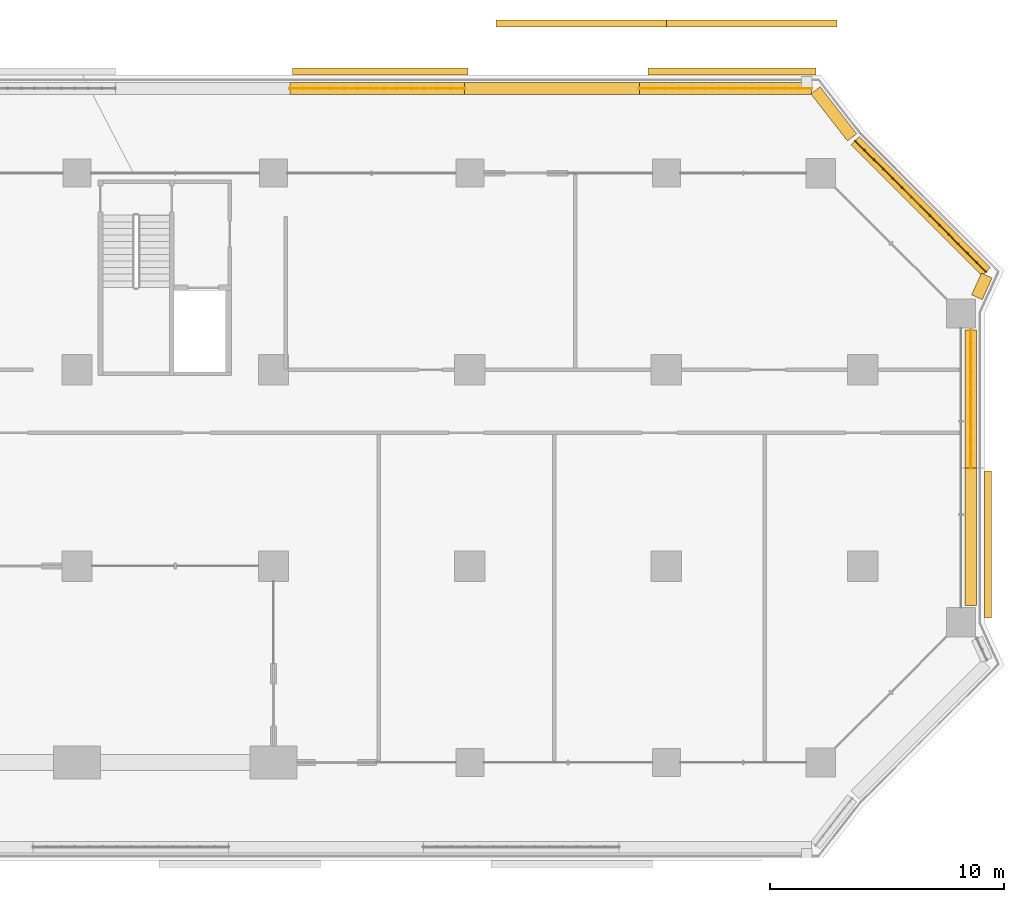
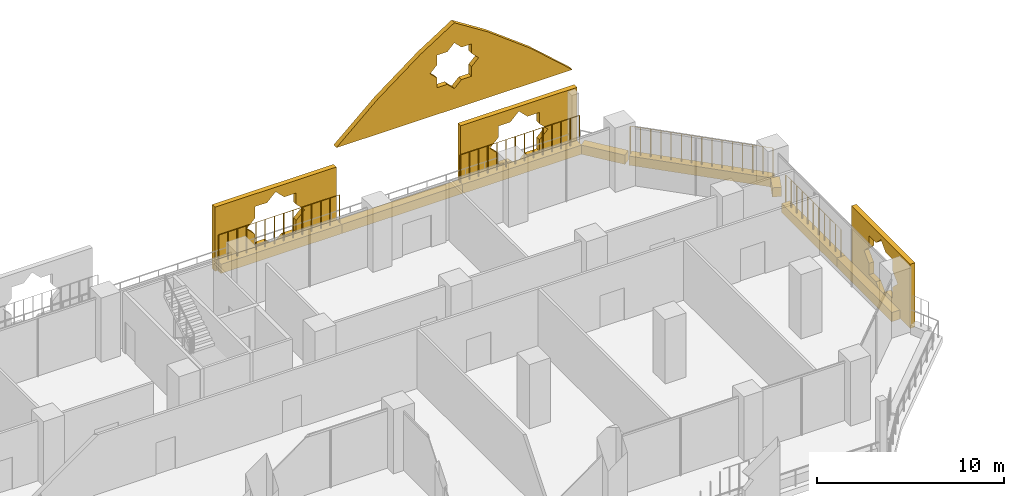
# One storey, part 27 of 27: 12 coverings, 4 railings.
"""IFC4 building model written with IfcOpenShell, lengths in metres."""

from ifc_helpers import new_model, si_unit, direction, frame, origin, origin_2d, place, context, subcontext, project, spatial, polyline, rectangle, circle, outline, extrude, material, layer, layer_set, material_profile, profile_set, type_object, element, save


model = new_model("IFC4")

# Units and contexts
model_context = context("Model", 3, precision=1e-05, world=origin(), true_north=direction((0.0, 1.0)))
body_context = subcontext(model_context, "Body", "Model", "MODEL_VIEW")
ifc_project = project(units=[si_unit("LENGTHUNIT", "METRE"), si_unit("AREAUNIT", "SQUARE_METRE"), si_unit("VOLUMEUNIT", "CUBIC_METRE"), si_unit("PLANEANGLEUNIT", "RADIAN"), si_unit("MASSUNIT", "GRAM", prefix="KILO")], contexts=[model_context])

# Site, building, storey
site_placement = place(None, origin())
site = spatial("IfcSite", under=ifc_project, at=site_placement, CompositionType="ELEMENT")
building_placement = place(site_placement, origin())
building = spatial("IfcBuilding", under=site, at=building_placement, Name="Kawkab Arch Medical Tower", CompositionType="ELEMENT")
storey_placement = place(building_placement, frame((0.0, 0.0, 39.199951171875)))
storey = spatial("IfcBuildingStorey", under=building, at=storey_placement, Name="L08", CompositionType="ELEMENT", Elevation=39.199951171875)

# Coverings
ifc_material_1 = material(Name="Bronze anodised aluminium mashrabiya panel, eight-point star pattern", Category="aluminium")
ifc_material_profile_1 = material_profile(ifc_material_1, outline(polyline([(-3.14990234375, -2.10009765625), (3.14990234375, -2.10009765625), (3.14990234375, 2.10009765625), (-3.14990234375, 2.10009765625), (-3.14990234375, -2.10009765625)]), holes=[polyline([(1.800048828125, 0.0), (1.272705078125, 0.527099609375), (1.272705078125, 1.272705078125), (0.527099609375, 1.272705078125), (0.0, 1.800048828125), (-0.527099609375, 1.272705078125), (-1.272705078125, 1.272705078125), (-1.272705078125, 0.527099609375), (-1.800048828125, 0.0), (-1.272705078125, -0.527099609375), (-1.272705078125, -1.272705078125), (-0.527099609375, -1.272705078125), (0.0, -1.800048828125), (0.527099609375, -1.272705078125), (1.272705078125, -1.272705078125), (1.272705078125, -0.527099609375), (1.800048828125, 0.0)])]), Name="Mashrabiya panel 6300x4200")
ifc_profile_set_1 = profile_set([ifc_material_profile_1], Name="Bronze anodised aluminium mashrabiya panel, eight-point star pattern")
covering_type_1 = type_object("IfcCoveringType", Name="Mashrabiya panel 6300 x 4200", PredefinedType="USERDEFINED", material=ifc_profile_set_1)
covering_1_placement = place(storey_placement, frame((80.800048828125, -15.881103515625, 1.699951171875), z_axis=(1.0, 0.0, 0.0), x_axis=(0.0, 1.0, 0.0)))
element("IfcCovering", 1, at=covering_1_placement, inside=storey, type_object=covering_type_1, Name="Mashrabiya panel L08.LOG-01-01.11", ObjectType="SCREEN", PredefinedType="USERDEFINED", context=body_context, shape_type="SweptSolid", body=[
    extrude(outline(polyline([(-3.14990234375, -2.10009765625), (3.14990234375, -2.10009765625), (3.14990234375, 2.10009765625), (-3.14990234375, 2.10009765625), (-3.14990234375, -2.10009765625)]), holes=[polyline([(1.800048828125, 0.0), (1.272705078125, 0.527099609375), (1.272705078125, 1.272705078125), (0.527099609375, 1.272705078125), (0.0, 1.800048828125), (-0.527099609375, 1.272705078125), (-1.272705078125, 1.272705078125), (-1.272705078125, 0.527099609375), (-1.800048828125, 0.0), (-1.272705078125, -0.527099609375), (-1.272705078125, -1.272705078125), (-0.527099609375, -1.272705078125), (0.0, -1.800048828125), (0.527099609375, -1.272705078125), (1.272705078125, -1.272705078125), (1.272705078125, -0.527099609375), (1.800048828125, 0.0)])]), origin(), (0.0, 0.0, 1.0), 0.300048828125),
])
ifc_material_2 = material(Name="Bronze anodised aluminium mashrabiya panel, eight-point star pattern", Category="aluminium")
ifc_material_profile_2 = material_profile(ifc_material_2, outline(polyline([(-3.60009765625, -2.10009765625), (3.60009765625, -2.10009765625), (3.60009765625, 2.10009765625), (-3.60009765625, 2.10009765625), (-3.60009765625, -2.10009765625)]), holes=[polyline([(1.800048828125, 0.0), (1.272705078125, 0.527099609375), (1.272705078125, 1.272705078125), (0.527099609375, 1.272705078125), (0.0, 1.800048828125), (-0.527099609375, 1.272705078125), (-1.272705078125, 1.272705078125), (-1.272705078125, 0.527099609375), (-1.800048828125, 0.0), (-1.272705078125, -0.527099609375), (-1.272705078125, -1.272705078125), (-0.527099609375, -1.272705078125), (0.0, -1.800048828125), (0.527099609375, -1.272705078125), (1.272705078125, -1.272705078125), (1.272705078125, -0.527099609375), (1.800048828125, 0.0)])]), Name="Mashrabiya panel 7200x4200")
ifc_profile_set_2 = profile_set([ifc_material_profile_2], Name="Bronze anodised aluminium mashrabiya panel, eight-point star pattern")
covering_type_2 = type_object("IfcCoveringType", Name="Mashrabiya panel 7200 x 4200", PredefinedType="USERDEFINED", material=ifc_profile_set_2)
covering_2_placement = place(storey_placement, frame((70.009033203125, 4.199951171875, 1.699951171875), z_axis=(0.0, 1.0, 0.0), x_axis=(-1.0, 0.0, 0.0)))
element("IfcCovering", 2, at=covering_2_placement, inside=storey, type_object=covering_type_2, Name="Mashrabiya panel L08.LOG-01-01.10", ObjectType="SCREEN", PredefinedType="USERDEFINED", context=body_context, shape_type="SweptSolid", body=[
    extrude(outline(polyline([(-3.60009765625, -2.10009765625), (3.60009765625, -2.10009765625), (3.60009765625, 2.10009765625), (-3.60009765625, 2.10009765625), (-3.60009765625, -2.10009765625)]), holes=[polyline([(1.800048828125, 0.0), (1.272705078125, 0.527099609375), (1.272705078125, 1.272705078125), (0.527099609375, 1.272705078125), (0.0, 1.800048828125), (-0.527099609375, 1.272705078125), (-1.272705078125, 1.272705078125), (-1.272705078125, 0.527099609375), (-1.800048828125, 0.0), (-1.272705078125, -0.527099609375), (-1.272705078125, -1.272705078125), (-0.527099609375, -1.272705078125), (0.0, -1.800048828125), (0.527099609375, -1.272705078125), (1.272705078125, -1.272705078125), (1.272705078125, -0.527099609375), (1.800048828125, 0.0)])]), origin(), (0.0, 0.0, 1.0), 0.300048828125),
])
ifc_material_3 = material(Name="Bronze anodised aluminium mashrabiya panel, eight-point star pattern", Category="aluminium")
ifc_material_profile_3 = material_profile(ifc_material_3, outline(polyline([(-3.75, -2.10009765625), (3.75, -2.10009765625), (3.75, 2.10009765625), (-3.75, 2.10009765625), (-3.75, -2.10009765625)]), holes=[polyline([(1.800048828125, 0.0), (1.272705078125, 0.527099609375), (1.272705078125, 1.272705078125), (0.527099609375, 1.272705078125), (0.0, 1.800048828125), (-0.527099609375, 1.272705078125), (-1.272705078125, 1.272705078125), (-1.272705078125, 0.527099609375), (-1.800048828125, 0.0), (-1.272705078125, -0.527099609375), (-1.272705078125, -1.272705078125), (-0.527099609375, -1.272705078125), (0.0, -1.800048828125), (0.527099609375, -1.272705078125), (1.272705078125, -1.272705078125), (1.272705078125, -0.527099609375), (1.800048828125, 0.0)])]), Name="Mashrabiya panel 7500x4200")
ifc_profile_set_3 = profile_set([ifc_material_profile_3], Name="Bronze anodised aluminium mashrabiya panel, eight-point star pattern")
covering_type_3 = type_object("IfcCoveringType", Name="Mashrabiya panel 7500 x 4200", PredefinedType="USERDEFINED", material=ifc_profile_set_3)
covering_3_placement = place(storey_placement, frame((54.964599609375, 4.199951171875, 1.699951171875), z_axis=(0.0, 1.0, 0.0), x_axis=(-1.0, 0.0, 0.0)))
element("IfcCovering", 3, at=covering_3_placement, inside=storey, type_object=covering_type_3, Name="Mashrabiya panel L08.LOG-01-01.9", ObjectType="SCREEN", PredefinedType="USERDEFINED", context=body_context, shape_type="SweptSolid", body=[
    extrude(outline(polyline([(-3.75, -2.10009765625), (3.75, -2.10009765625), (3.75, 2.10009765625), (-3.75, 2.10009765625), (-3.75, -2.10009765625)]), holes=[polyline([(1.800048828125, 0.0), (1.272705078125, 0.527099609375), (1.272705078125, 1.272705078125), (0.527099609375, 1.272705078125), (0.0, 1.800048828125), (-0.527099609375, 1.272705078125), (-1.272705078125, 1.272705078125), (-1.272705078125, 0.527099609375), (-1.800048828125, 0.0), (-1.272705078125, -0.527099609375), (-1.272705078125, -1.272705078125), (-0.527099609375, -1.272705078125), (0.0, -1.800048828125), (0.527099609375, -1.272705078125), (1.272705078125, -1.272705078125), (1.272705078125, -0.527099609375), (1.800048828125, 0.0)])]), origin(), (0.0, 0.0, 1.0), 0.300048828125),
])
ifc_material_4 = material(Name="Planting soil in a precast trough", Category="concrete")
ifc_material_profile_4 = material_profile(ifc_material_4, rectangle(XDim=0.5, YDim=0.60009765625, at=origin_2d()), Name="Trough 500x600")
ifc_profile_set_4 = profile_set([ifc_material_profile_4], Name="Planting soil in a precast trough")
covering_type_4 = type_object("IfcCoveringType", Name="Planter trough 500 x 600", PredefinedType="USERDEFINED", material=ifc_profile_set_4)
covering_4_placement = place(storey_placement, frame((51.10498046875, 3.6201171875, 0.300048828125), z_axis=(1.0, 0.0, 0.0), x_axis=(0.0, 1.0, 0.0)))
element("IfcCovering", 4, at=covering_4_placement, inside=storey, type_object=covering_type_4, Name="Planter L08.LOG-01-01.31", ObjectType="PLANTER", PredefinedType="USERDEFINED", context=body_context, shape_type="SweptSolid", body=[
    extrude(rectangle(XDim=0.5, YDim=0.60009765625, at=origin_2d()), origin(), (0.0, 0.0, 1.0), 7.470947265625),
])
covering_5_placement = place(storey_placement, frame((58.575927734375, 3.6201171875, 0.300048828125), z_axis=(1.0, 0.0, 0.0), x_axis=(0.0, 1.0, 0.0)))
element("IfcCovering", 5, at=covering_5_placement, inside=storey, type_object=covering_type_4, Name="Planter L08.LOG-01-01.32", ObjectType="PLANTER", PredefinedType="USERDEFINED", context=body_context, shape_type="SweptSolid", body=[
    extrude(rectangle(XDim=0.5, YDim=0.60009765625, at=origin_2d()), origin(), (0.0, 0.0, 1.0), 7.469970703125),
])
covering_6_placement = place(storey_placement, frame((66.0458984375, 3.6201171875, 0.300048828125), z_axis=(1.0, 0.0, 0.0), x_axis=(0.0, 1.0, 0.0)))
element("IfcCovering", 6, at=covering_6_placement, inside=storey, type_object=covering_type_4, Name="Planter L08.LOG-01-01.33", ObjectType="PLANTER", PredefinedType="USERDEFINED", context=body_context, shape_type="SweptSolid", body=[
    extrude(rectangle(XDim=0.5, YDim=0.60009765625, at=origin_2d()), origin(), (0.0, 0.0, 1.0), 7.3701171875),
])
covering_7_placement = place(storey_placement, frame((73.577880859375, 3.541015625, 0.300048828125), z_axis=(0.614099956103, -0.789228258436, 0.0), x_axis=(0.789228258436, 0.614099956103, 0.0)))
element("IfcCovering", 7, at=covering_7_placement, inside=storey, type_object=covering_type_4, Name="Planter L08.LOG-01-01.34", ObjectType="PLANTER", PredefinedType="USERDEFINED", context=body_context, shape_type="SweptSolid", body=[
    extrude(rectangle(XDim=0.5, YDim=0.60009765625, at=origin_2d()), origin(), (0.0, 0.0, 1.0), 2.545654296875),
])
covering_8_placement = place(storey_placement, frame((75.27294921875, 1.383056640625, 0.300048828125), z_axis=(0.707106781187, -0.707106781187, 0.0), x_axis=(0.707106781187, 0.707106781187, 0.0)))
element("IfcCovering", 8, at=covering_8_placement, inside=storey, type_object=covering_type_4, Name="Planter L08.LOG-01-01.35", ObjectType="PLANTER", PredefinedType="USERDEFINED", context=body_context, shape_type="SweptSolid", body=[
    extrude(rectangle(XDim=0.5, YDim=0.60009765625, at=origin_2d()), origin(), (0.0, 0.0, 1.0), 7.919677734375),
])
covering_9_placement = place(storey_placement, frame((80.902099609375, -4.37890625, 0.300048828125), z_axis=(-0.415071571878, -0.909788761317, 0.0), x_axis=(0.909788761317, -0.415071571878, 0.0)))
element("IfcCovering", 9, at=covering_9_placement, inside=storey, type_object=covering_type_4, Name="Planter L08.LOG-01-01.36", ObjectType="PLANTER", PredefinedType="USERDEFINED", context=body_context, shape_type="SweptSolid", body=[
    extrude(rectangle(XDim=0.5, YDim=0.60009765625, at=origin_2d()), origin(), (0.0, 0.0, 1.0), 1.0146484375),
])
for number, where, z_axis, x_axis, name in (
    (10, (80.219970703125, -6.705078125, 0.300048828125), (0.0, -1.0, 0.0), (1.0, 0.0, 0.0), "Planter L08.LOG-01-01.37"),
    (11, (80.219970703125, -12.60009765625, 0.300048828125), (0.0, -1.0, 0.0), (1.0, 0.0, 0.0), "Planter L08.LOG-01-01.38"),
):
    element("IfcCovering", number, at=place(storey_placement, frame(where, z_axis=z_axis, x_axis=x_axis)), inside=storey, type_object=covering_type_4, Name=name, ObjectType="PLANTER", PredefinedType="USERDEFINED", context=body_context, shape_type="SweptSolid", body=[
        extrude(rectangle(XDim=0.5, YDim=0.60009765625, at=origin_2d()), origin(), (0.0, 0.0, 1.0), 5.89501953125),
    ])

# Railings
ifc_material_5 = material(Name="Bronze anodised aluminium trellis for climbing plants", Category="aluminium")
railing_type = type_object("IfcRailingType", Name="Planting trellis 2400", PredefinedType="USERDEFINED", material=ifc_material_5)
railing_1_placement = place(storey_placement, frame((51.10498046875, 3.6201171875, 0.0)))
element("IfcRailing", 12, at=railing_1_placement, inside=storey, type_object=railing_type, Name="Planting trellis L08.LOG-01-01.31", ObjectType="TRELLIS", PredefinedType="USERDEFINED", context=body_context, shape_type="SweptSolid", body=[
    extrude(circle(Radius=0.01513671875, at=origin_2d()), frame((0.0, 0.0, 2.384765625), z_axis=(1.0, 0.0, 0.0), x_axis=(0.0, 1.0, 0.0)), (0.0, 0.0, 1.0), 7.470947265625),
    extrude(circle(Radius=0.030029296875, at=origin_2d()), origin(), (0.0, 0.0, 1.0), 2.369873046875),
    extrude(circle(Radius=0.030029296875, at=origin_2d()), frame((0.57470703125, 0.0, 0.0)), (0.0, 0.0, 1.0), 2.369873046875),
    extrude(circle(Radius=0.030029296875, at=origin_2d()), frame((1.1494140625, 0.0, 0.0)), (0.0, 0.0, 1.0), 2.369873046875),
    extrude(circle(Radius=0.030029296875, at=origin_2d()), frame((1.72412109375, 0.0, 0.0)), (0.0, 0.0, 1.0), 2.369873046875),
    extrude(circle(Radius=0.030029296875, at=origin_2d()), frame((2.298828125, 0.0, 0.0)), (0.0, 0.0, 1.0), 2.369873046875),
    extrude(circle(Radius=0.030029296875, at=origin_2d()), frame((2.87353515625, 0.0, 0.0)), (0.0, 0.0, 1.0), 2.369873046875),
    extrude(circle(Radius=0.030029296875, at=origin_2d()), frame((3.4482421875, 0.0, 0.0)), (0.0, 0.0, 1.0), 2.369873046875),
    extrude(circle(Radius=0.030029296875, at=origin_2d()), frame((4.022705078125, 0.0, 0.0)), (0.0, 0.0, 1.0), 2.369873046875),
    extrude(circle(Radius=0.030029296875, at=origin_2d()), frame((4.597412109375, 0.0, 0.0)), (0.0, 0.0, 1.0), 2.369873046875),
    extrude(circle(Radius=0.030029296875, at=origin_2d()), frame((5.172119140625, 0.0, 0.0)), (0.0, 0.0, 1.0), 2.369873046875),
    extrude(circle(Radius=0.030029296875, at=origin_2d()), frame((5.746826171875, 0.0, 0.0)), (0.0, 0.0, 1.0), 2.369873046875),
    extrude(circle(Radius=0.030029296875, at=origin_2d()), frame((6.321533203125, 0.0, 0.0)), (0.0, 0.0, 1.0), 2.369873046875),
    extrude(circle(Radius=0.030029296875, at=origin_2d()), frame((6.896240234375, 0.0, 0.0)), (0.0, 0.0, 1.0), 2.369873046875),
    extrude(circle(Radius=0.030029296875, at=origin_2d()), frame((7.470947265625, 0.0, 0.0)), (0.0, 0.0, 1.0), 2.369873046875),
])
railing_2_placement = place(storey_placement, frame((66.0458984375, 3.6201171875, 0.0)))
element("IfcRailing", 13, at=railing_2_placement, inside=storey, type_object=railing_type, Name="Planting trellis L08.LOG-01-01.33", ObjectType="TRELLIS", PredefinedType="USERDEFINED", context=body_context, shape_type="SweptSolid", body=[
    extrude(circle(Radius=0.01513671875, at=origin_2d()), frame((0.0, 0.0, 2.384765625), z_axis=(1.0, 0.0, 0.0), x_axis=(0.0, 1.0, 0.0)), (0.0, 0.0, 1.0), 7.3701171875),
    extrude(circle(Radius=0.030029296875, at=origin_2d()), origin(), (0.0, 0.0, 1.0), 2.369873046875),
    extrude(circle(Radius=0.030029296875, at=origin_2d()), frame((0.56689453125, 0.0, 0.0)), (0.0, 0.0, 1.0), 2.369873046875),
    extrude(circle(Radius=0.030029296875, at=origin_2d()), frame((1.1337890625, 0.0, 0.0)), (0.0, 0.0, 1.0), 2.369873046875),
    extrude(circle(Radius=0.030029296875, at=origin_2d()), frame((1.70068359375, 0.0, 0.0)), (0.0, 0.0, 1.0), 2.369873046875),
    extrude(circle(Radius=0.030029296875, at=origin_2d()), frame((2.267822265625, 0.0, 0.0)), (0.0, 0.0, 1.0), 2.369873046875),
    extrude(circle(Radius=0.030029296875, at=origin_2d()), frame((2.834716796875, 0.0, 0.0)), (0.0, 0.0, 1.0), 2.369873046875),
    extrude(circle(Radius=0.030029296875, at=origin_2d()), frame((3.401611328125, 0.0, 0.0)), (0.0, 0.0, 1.0), 2.369873046875),
    extrude(circle(Radius=0.030029296875, at=origin_2d()), frame((3.968505859375, 0.0, 0.0)), (0.0, 0.0, 1.0), 2.369873046875),
    extrude(circle(Radius=0.030029296875, at=origin_2d()), frame((4.535400390625, 0.0, 0.0)), (0.0, 0.0, 1.0), 2.369873046875),
    extrude(circle(Radius=0.030029296875, at=origin_2d()), frame((5.102294921875, 0.0, 0.0)), (0.0, 0.0, 1.0), 2.369873046875),
    extrude(circle(Radius=0.030029296875, at=origin_2d()), frame((5.66943359375, 0.0, 0.0)), (0.0, 0.0, 1.0), 2.369873046875),
    extrude(circle(Radius=0.030029296875, at=origin_2d()), frame((6.236328125, 0.0, 0.0)), (0.0, 0.0, 1.0), 2.369873046875),
    extrude(circle(Radius=0.030029296875, at=origin_2d()), frame((6.80322265625, 0.0, 0.0)), (0.0, 0.0, 1.0), 2.369873046875),
    extrude(circle(Radius=0.030029296875, at=origin_2d()), frame((7.3701171875, 0.0, 0.0)), (0.0, 0.0, 1.0), 2.369873046875),
])
railing_3_placement = place(storey_placement, frame((75.27294921875, 1.383056640625, 0.0)))
element("IfcRailing", 14, at=railing_3_placement, inside=storey, type_object=railing_type, Name="Planting trellis L08.LOG-01-01.35", ObjectType="TRELLIS", PredefinedType="USERDEFINED", context=body_context, shape_type="SweptSolid", body=[
    extrude(circle(Radius=0.01513671875, at=origin_2d()), frame((0.0, 0.0, 2.384765625), z_axis=(0.707106781187, -0.707106781187, 0.0), x_axis=(0.707106781187, 0.707106781187, 0.0)), (0.0, 0.0, 1.0), 7.919677734375),
    extrude(circle(Radius=0.030029296875, at=origin_2d()), origin(), (0.0, 0.0, 1.0), 2.369873046875),
    extrude(circle(Radius=0.030029296875, at=origin_2d()), frame((0.39990234375, -0.39990234375, 0.0)), (0.0, 0.0, 1.0), 2.369873046875),
    extrude(circle(Radius=0.030029296875, at=origin_2d()), frame((0.800048828125, -0.800048828125, 0.0)), (0.0, 0.0, 1.0), 2.369873046875),
    extrude(circle(Radius=0.030029296875, at=origin_2d()), frame((1.199951171875, -1.199951171875, 0.0)), (0.0, 0.0, 1.0), 2.369873046875),
    extrude(circle(Radius=0.030029296875, at=origin_2d()), frame((1.60009765625, -1.60009765625, 0.0)), (0.0, 0.0, 1.0), 2.369873046875),
    extrude(circle(Radius=0.030029296875, at=origin_2d()), frame((2.0, -2.0, 0.0)), (0.0, 0.0, 1.0), 2.369873046875),
    extrude(circle(Radius=0.030029296875, at=origin_2d()), frame((2.400146484375, -2.400146484375, 0.0)), (0.0, 0.0, 1.0), 2.369873046875),
    extrude(circle(Radius=0.030029296875, at=origin_2d()), frame((2.800048828125, -2.800048828125, 0.0)), (0.0, 0.0, 1.0), 2.369873046875),
    extrude(circle(Radius=0.030029296875, at=origin_2d()), frame((3.199951171875, -3.199951171875, 0.0)), (0.0, 0.0, 1.0), 2.369873046875),
    extrude(circle(Radius=0.030029296875, at=origin_2d()), frame((3.60009765625, -3.60009765625, 0.0)), (0.0, 0.0, 1.0), 2.369873046875),
    extrude(circle(Radius=0.030029296875, at=origin_2d()), frame((4.0, -4.0, 0.0)), (0.0, 0.0, 1.0), 2.369873046875),
    extrude(circle(Radius=0.030029296875, at=origin_2d()), frame((4.400146484375, -4.400146484375, 0.0)), (0.0, 0.0, 1.0), 2.369873046875),
    extrude(circle(Radius=0.030029296875, at=origin_2d()), frame((4.800048828125, -4.800048828125, 0.0)), (0.0, 0.0, 1.0), 2.369873046875),
    extrude(circle(Radius=0.030029296875, at=origin_2d()), frame((5.2001953125, -5.2001953125, 0.0)), (0.0, 0.0, 1.0), 2.369873046875),
    extrude(circle(Radius=0.030029296875, at=origin_2d()), frame((5.60009765625, -5.60009765625, 0.0)), (0.0, 0.0, 1.0), 2.369873046875),
])
railing_4_placement = place(storey_placement, frame((80.219970703125, -6.705078125, 0.0)))
element("IfcRailing", 15, at=railing_4_placement, inside=storey, type_object=railing_type, Name="Planting trellis L08.LOG-01-01.37", ObjectType="TRELLIS", PredefinedType="USERDEFINED", context=body_context, shape_type="SweptSolid", body=[
    extrude(circle(Radius=0.01513671875, at=origin_2d()), frame((0.0, 0.0, 2.384765625), z_axis=(0.0, -1.0, 0.0), x_axis=(1.0, 0.0, 0.0)), (0.0, 0.0, 1.0), 5.89501953125),
    extrude(circle(Radius=0.030029296875, at=origin_2d()), origin(), (0.0, 0.0, 1.0), 2.369873046875),
    extrude(circle(Radius=0.030029296875, at=origin_2d()), frame((0.0, -0.589599609375, 0.0)), (0.0, 0.0, 1.0), 2.369873046875),
    extrude(circle(Radius=0.030029296875, at=origin_2d()), frame((0.0, -1.178955078125, 0.0)), (0.0, 0.0, 1.0), 2.369873046875),
    extrude(circle(Radius=0.030029296875, at=origin_2d()), frame((0.0, -1.7685546875, 0.0)), (0.0, 0.0, 1.0), 2.369873046875),
    extrude(circle(Radius=0.030029296875, at=origin_2d()), frame((0.0, -2.35791015625, 0.0)), (0.0, 0.0, 1.0), 2.369873046875),
    extrude(circle(Radius=0.030029296875, at=origin_2d()), frame((0.0, -2.947509765625, 0.0)), (0.0, 0.0, 1.0), 2.369873046875),
    extrude(circle(Radius=0.030029296875, at=origin_2d()), frame((0.0, -3.537109375, 0.0)), (0.0, 0.0, 1.0), 2.369873046875),
    extrude(circle(Radius=0.030029296875, at=origin_2d()), frame((0.0, -4.12646484375, 0.0)), (0.0, 0.0, 1.0), 2.369873046875),
    extrude(circle(Radius=0.030029296875, at=origin_2d()), frame((0.0, -4.716064453125, 0.0)), (0.0, 0.0, 1.0), 2.369873046875),
    extrude(circle(Radius=0.030029296875, at=origin_2d()), frame((0.0, -5.305419921875, 0.0)), (0.0, 0.0, 1.0), 2.369873046875),
    extrude(circle(Radius=0.030029296875, at=origin_2d()), frame((0.0, -5.89501953125, 0.0)), (0.0, 0.0, 1.0), 2.369873046875),
])

# Covering
ifc_material_6 = material(Name="Perforated bronze anodised aluminium, eight-point star pattern", Category="aluminium")
ifc_layer = layer(ifc_material_6, 0.300048828125)
ifc_layer_set = layer_set([ifc_layer], Name="Perforated bronze anodised aluminium, eight-point star pattern")
covering_type_5 = type_object("IfcCoveringType", Name="Spandrel star screen 300", PredefinedType="USERDEFINED", material=ifc_layer_set)
covering_10_placement = place(storey_placement, frame((0.0, 6.550048828125, -39.199951171875), z_axis=(0.0, -1.0, 0.0), x_axis=(1.0, 0.0, 0.0)))
element("IfcCovering", 16, at=covering_10_placement, inside=storey, type_object=covering_type_5, Name="Spandrel screen N 7.1", ObjectType="SCREEN", PredefinedType="USERDEFINED", context=body_context, shape_type="SweptSolid", body=[
    extrude(outline(polyline([(59.90673828125, 42.60009765625), (74.4931640625, 42.60009765625), (74.447998046875, 42.647216796875), (71.94482421875, 44.878173828125), (69.27197265625, 46.900390625), (67.199951171875, 48.22119140625), (65.1279296875, 46.900390625), (62.455078125, 44.878173828125), (59.951904296875, 42.647216796875), (59.90673828125, 42.60009765625)]), holes=[polyline([(68.699951171875, 45.41064453125), (68.2607421875, 45.849853515625), (68.2607421875, 46.47119140625), (67.639404296875, 46.47119140625), (67.199951171875, 46.91064453125), (66.7607421875, 46.47119140625), (66.139404296875, 46.47119140625), (66.139404296875, 45.849853515625), (65.699951171875, 45.41064453125), (66.139404296875, 44.97119140625), (66.139404296875, 44.349853515625), (66.7607421875, 44.349853515625), (67.199951171875, 43.91064453125), (67.639404296875, 44.349853515625), (68.2607421875, 44.349853515625), (68.2607421875, 44.97119140625), (68.699951171875, 45.41064453125)])]), origin(), (0.0, 0.0, 1.0), 0.300048828125),
])

save(model, "model.ifc")
